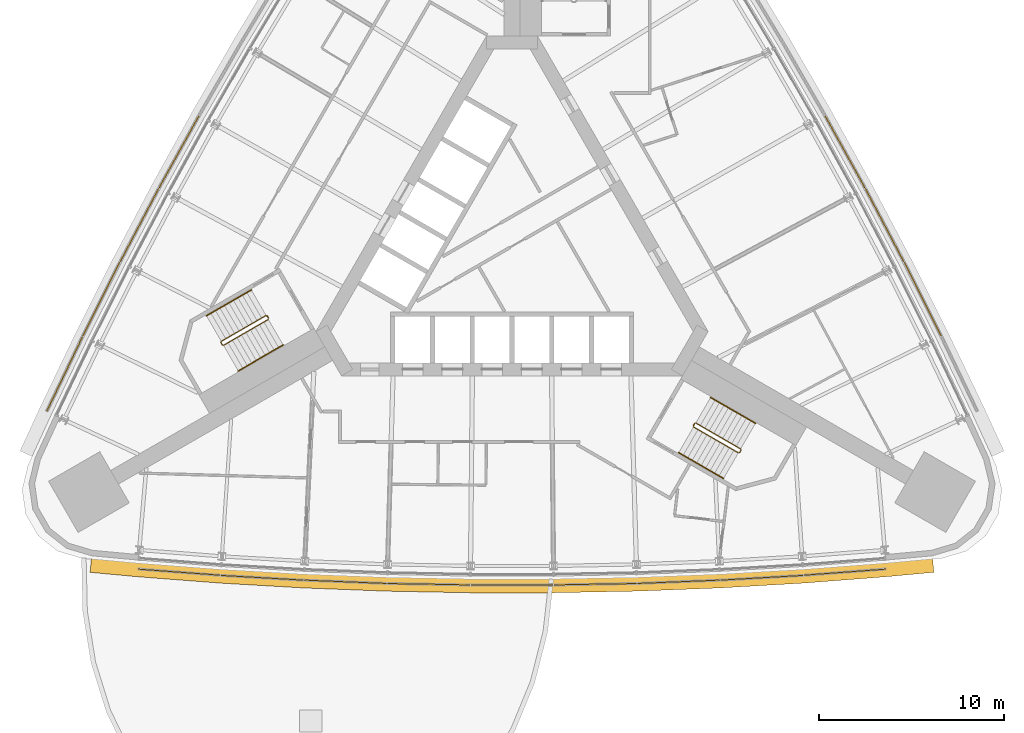
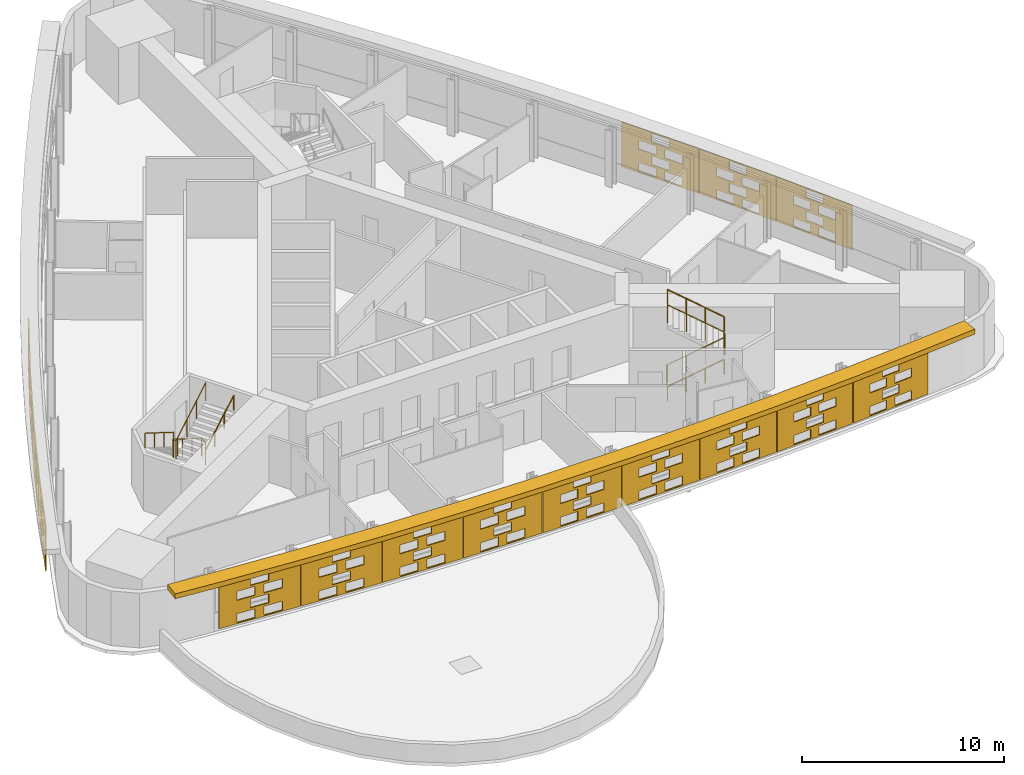
# One storey, part 14 of 15: 17 shading devices, 6 railings.
"""IFC4 building model written with IfcOpenShell, lengths in metres."""

import ifcopenshell
import ifcopenshell.guid

model = None  # the IFC model being written
_history = None  # IfcOwnerHistory: only IFC2X3 demands one
_inside = {}  # id of a spatial element -> (the spatial element, [elements in it])
_under = {}  # id of a project, library or spatial element -> (it, [spatial elements below it])
_declared = {}  # id of a project -> (the project, [libraries it declares])
_typed = {}  # id of a type object -> (the type object, [elements of that type])
_made_of = {}  # id of a material, layer set ... -> (it, [elements and type objects made of it])


def new_model(schema):
    """Start an empty IFC model of exactly this schema.

    Asked for "IFC4X3", IfcOpenShell would pick the latest addendum, in which some entities
    have other attributes; the version numbers below select the first issue.
    IFC2X3 requires an IfcOwnerHistory on every rooted entity: one is made here for all.
    """
    global model, _history
    if schema == "IFC4X3":
        model = ifcopenshell.file(schema_version=(4, 3, 0, 0))
    else:
        model = ifcopenshell.file(schema=schema)
    _inside.clear()
    _under.clear()
    _declared.clear()
    _typed.clear()
    _made_of.clear()
    _history = None
    if model.schema == "IFC2X3":
        org = make("IfcOrganization", Name="unknown")
        user = make(
            "IfcPersonAndOrganization",
            ThePerson=make("IfcPerson", FamilyName="unknown"),
            TheOrganization=org,
        )
        app = make(
            "IfcApplication",
            ApplicationDeveloper=org,
            Version="unknown",
            ApplicationFullName="unknown",
            ApplicationIdentifier="unknown",
        )
        _history = make(
            "IfcOwnerHistory",
            OwningUser=user,
            OwningApplication=app,
            ChangeAction="ADDED",
            CreationDate=0,
        )
    return model


def make(cls, **values):
    """One entity of the class cls with the attributes given. An attribute that is None is left unset."""
    return model.create_entity(
        cls, **{name: value for name, value in values.items() if value is not None}
    )


def rooted(cls, **values):
    """An entity with a GlobalId (a new one), such as an element, a storey or a relation."""
    return make(cls, GlobalId=ifcopenshell.guid.new(), OwnerHistory=_history, **values)


def si_unit(unit_type, name, prefix=None):
    """IfcSIUnit, for example si_unit("LENGTHUNIT", "METRE", prefix="MILLI")."""
    return make("IfcSIUnit", UnitType=unit_type, Prefix=prefix, Name=name)


def assignment(units):
    """IfcUnitAssignment: the units of a project."""
    return None if units is None else make("IfcUnitAssignment", Units=units)


def point(xyz):
    """IfcCartesianPoint."""
    return None if xyz is None else make("IfcCartesianPoint", Coordinates=xyz)


def direction(xyz):
    """IfcDirection."""
    return None if xyz is None else make("IfcDirection", DirectionRatios=xyz)


def frame(location, z_axis=None, x_axis=None):
    """IfcAxis2Placement3D, a coordinate frame: its origin and axes. An axis left out is left unset."""
    return make(
        "IfcAxis2Placement3D",
        Location=point(location),
        Axis=direction(z_axis),
        RefDirection=direction(x_axis),
    )


def frame_2d(location, x_axis=None):
    """IfcAxis2Placement2D, a coordinate frame in the plane: its origin and x axis."""
    return make(
        "IfcAxis2Placement2D", Location=point(location), RefDirection=direction(x_axis)
    )


def origin():
    """The frame at (0, 0, 0) with its axes left unset."""
    return frame((0.0, 0.0, 0.0))


def origin_2d():
    """The frame at (0, 0) in the plane with its x axis left unset."""
    return frame_2d((0.0, 0.0))


def place(relative_to, where):
    """IfcLocalPlacement: puts the frame where relative to a parent placement (None: the world)."""
    return make(
        "IfcLocalPlacement", PlacementRelTo=relative_to, RelativePlacement=where
    )


def context(
    kind, dimensions, precision=None, world=None, true_north=None, identifier=None
):
    """IfcGeometricRepresentationContext, for example the 3D "Model" context."""
    return make(
        "IfcGeometricRepresentationContext",
        ContextIdentifier=identifier,
        ContextType=kind,
        CoordinateSpaceDimension=dimensions,
        Precision=precision,
        WorldCoordinateSystem=world,
        TrueNorth=true_north,
    )


def subcontext(parent, identifier, kind, view, scale=None):
    """IfcGeometricRepresentationSubContext, for example "Body" below "Model"."""
    return make(
        "IfcGeometricRepresentationSubContext",
        ContextIdentifier=identifier,
        ContextType=kind,
        ParentContext=parent,
        TargetScale=scale,
        TargetView=view,
    )


def project(units=None, contexts=None):
    """IfcProject with its units and contexts."""
    return rooted(
        "IfcProject",
        Name="project",
        RepresentationContexts=contexts,
        UnitsInContext=assignment(units),
    )


def spatial(cls, under=None, at=None, **own):
    """A site, building, storey or space (cls), placed at a placement, below another one or the project."""
    s = rooted(cls, ObjectPlacement=at, **own)
    if under is not None:
        _under.setdefault(under.id(), (under, []))[1].append(s)
    return s


def polyline(points):
    """IfcPolyline through the points."""
    return make("IfcPolyline", Points=[point(p) for p in points])


def profile(cls, at=None, kind="AREA", **sizes):
    """A parametric profile (cls). Its sizes go by their IFC names, for example OverallWidth=200.0."""
    return make(cls, ProfileType=kind, Position=at, **sizes)


def circle(**sizes):
    """IfcCircleProfileDef."""
    return profile("IfcCircleProfileDef", **sizes)


def outline(outer, holes=None, kind="AREA"):
    """IfcArbitraryClosedProfileDef: a profile drawn as a closed curve; with holes, ...WithVoids."""
    if holes is None:
        return make("IfcArbitraryClosedProfileDef", ProfileType=kind, OuterCurve=outer)
    return make(
        "IfcArbitraryProfileDefWithVoids",
        ProfileType=kind,
        OuterCurve=outer,
        InnerCurves=holes,
    )


def extrude(swept, where, along, depth):
    """IfcExtrudedAreaSolid: the profile swept, set in the frame where, extruded along a direction by depth."""
    return make(
        "IfcExtrudedAreaSolid",
        SweptArea=swept,
        Position=where,
        ExtrudedDirection=direction(along),
        Depth=depth,
    )


def shape(context_of_items, identifier, shape_type, items):
    """IfcShapeRepresentation: the items that make up one representation, for example the "Body"."""
    return make(
        "IfcShapeRepresentation",
        ContextOfItems=context_of_items,
        RepresentationIdentifier=identifier,
        RepresentationType=shape_type,
        Items=items,
    )


def material(Name=None, Category=None):
    """IfcMaterial."""
    return make("IfcMaterial", Name=Name, Category=Category)


def material_profile(
    of_material, cross_section, Name=None, Category=None, Priority=None
):
    """IfcMaterialProfile: a cross section and its material."""
    return make(
        "IfcMaterialProfile",
        Name=Name,
        Material=of_material,
        Profile=cross_section,
        Priority=Priority,
        Category=Category,
    )


def profile_set(profiles, Name=None, composite=None):
    """IfcMaterialProfileSet."""
    return make(
        "IfcMaterialProfileSet",
        Name=Name,
        MaterialProfiles=profiles,
        CompositeProfile=composite,
    )


def made_of(thing, what):
    """Note that an element or type object is made of a material, layer set ...; save() writes the relation."""
    if what is not None:
        _made_of.setdefault(what.id(), (what, []))[1].append(thing)
    return thing


def type_object(cls, material=None, **own):
    """A type object (cls), such as IfcWallType, which elements share."""
    return made_of(rooted(cls, **own), material)


def element(
    cls,
    number,
    at=None,
    inside=None,
    cuts=None,
    type_object=None,
    material=None,
    context=None,
    identifier="Body",
    shape_type=None,
    held_by="IfcProductDefinitionShape",
    body=None,
    shapes=None,
    **own,
):
    """One element of the class cls, such as IfcWall. Its Tag is "e" and its number.

    at: its placement. inside: the storey or other place that contains it. cuts: it is an
    opening in that element (IfcRelVoidsElement). A single representation is given by context,
    identifier, shape_type and body (its items); several are given by shapes. held_by: the class
    of the entity that holds the representations. save() writes the other relations.
    """
    e = rooted(cls, Tag="e%d" % number, ObjectPlacement=at, **own)
    if body is not None:
        shapes = [shape(context, identifier, shape_type, body)]
    if shapes is not None:
        e.Representation = make(held_by, Representations=shapes)
    if inside is not None:
        _inside.setdefault(inside.id(), (inside, []))[1].append(e)
    if cuts is not None:
        rooted(
            "IfcRelVoidsElement", RelatingBuildingElement=cuts, RelatedOpeningElement=e
        )
    if type_object is not None:
        _typed.setdefault(type_object.id(), (type_object, []))[1].append(e)
    return made_of(e, material)


def aggregate(whole, parts):
    """IfcRelAggregates: a whole, such as a stair, and the parts it consists of."""
    return rooted("IfcRelAggregates", RelatingObject=whole, RelatedObjects=parts)


def save(model, path):
    """Write the relations noted so far, then the file.

    IfcRelAggregates (storeys below a building ...), IfcRelContainedInSpatialStructure (elements
    in a storey), IfcRelDefinesByType, IfcRelAssociatesMaterial and IfcRelDeclares: one each for
    every whole, place, type object, material and project.
    """
    for whole, parts in _under.values():
        aggregate(whole, parts)
    for where, things in _inside.values():
        rooted(
            "IfcRelContainedInSpatialStructure",
            RelatedElements=things,
            RelatingStructure=where,
        )
    for kind, things in _typed.values():
        rooted("IfcRelDefinesByType", RelatedObjects=things, RelatingType=kind)
    for what, things in _made_of.values():
        rooted("IfcRelAssociatesMaterial", RelatedObjects=things, RelatingMaterial=what)
    for by, libraries in _declared.values():
        rooted("IfcRelDeclares", RelatingContext=by, RelatedDefinitions=libraries)
    model.write(path)


model = new_model("IFC4")

# Units and contexts
model_context = context("Model", 3, precision=1e-05, world=origin(), true_north=direction((0.0, 1.0)))
body_context = subcontext(model_context, "Body", "Model", "MODEL_VIEW")
ifc_project = project(units=[si_unit("LENGTHUNIT", "METRE"), si_unit("AREAUNIT", "SQUARE_METRE"), si_unit("VOLUMEUNIT", "CUBIC_METRE"), si_unit("PLANEANGLEUNIT", "RADIAN"), si_unit("MASSUNIT", "GRAM", prefix="KILO")], contexts=[model_context])

# Site, building, storey
site_placement = place(None, origin())
site = spatial("IfcSite", under=ifc_project, at=site_placement, CompositionType="ELEMENT")
building_placement = place(site_placement, origin())
building = spatial("IfcBuilding", under=site, at=building_placement, Name="Noor Cloister Tower", CompositionType="ELEMENT")
storey_placement = place(building_placement, frame((0.0, 0.0, 69.0)))
storey = spatial("IfcBuildingStorey", under=building, at=storey_placement, Name="L17", CompositionType="ELEMENT", Elevation=69.0)

# Shading devices
ifc_material_1 = material(Name="Limestone", Category="masonry")
ifc_material_profile = material_profile(ifc_material_1, outline(polyline([(-2.22998046875, -1.35009765625), (2.22998046875, -1.35009765625), (2.22998046875, 1.35009765625), (-2.22998046875, 1.35009765625), (-2.22998046875, -1.35009765625)]), holes=[polyline([(-1.25, -1.282470703125), (-0.25, -1.282470703125), (-0.25, -0.742431640625), (-1.25, -0.742431640625), (-1.25, -1.282470703125)]), polyline([(0.25, -1.282470703125), (1.25, -1.282470703125), (1.25, -0.742431640625), (0.25, -0.742431640625), (0.25, -1.282470703125)]), polyline([(-0.5, -0.607421875), (0.5, -0.607421875), (0.5, -0.0673828125), (-0.5, -0.0673828125), (-0.5, -0.607421875)]), polyline([(-1.25, 0.0673828125), (-0.25, 0.0673828125), (-0.25, 0.607421875), (-1.25, 0.607421875), (-1.25, 0.0673828125)]), polyline([(0.25, 0.0673828125), (1.25, 0.0673828125), (1.25, 0.607421875), (0.25, 0.607421875), (0.25, 0.0673828125)]), polyline([(-0.5, 0.742431640625), (0.5, 0.742431640625), (0.5, 1.282470703125), (-0.5, 1.282470703125), (-0.5, 0.742431640625)])]), Name="Woven screen 28 percent open")
ifc_profile_set = profile_set([ifc_material_profile], Name="Limestone")
shading_device_type_1 = type_object("IfcShadingDeviceType", Name="SCREEN woven limestone 28 percent open", PredefinedType="USERDEFINED", material=ifc_profile_set)
shading_device_1_placement = place(storey_placement, frame((-17.993896484375, 5.18310546875, 1.85009765625), z_axis=(-0.874923997532, 0.484260259099, 0.0), x_axis=(-0.484260259099, -0.874923997532, 0.0)))
element("IfcShadingDevice", 1, at=shading_device_1_placement, inside=storey, type_object=shading_device_type_1, Name="SCREEN L17 6", ObjectType="SCREEN", PredefinedType="USERDEFINED", context=body_context, shape_type="SweptSolid", body=[
    extrude(outline(polyline([(-2.22998046875, -1.35009765625), (2.22998046875, -1.35009765625), (2.22998046875, 1.35009765625), (-2.22998046875, 1.35009765625), (-2.22998046875, -1.35009765625)]), holes=[polyline([(-1.25, -1.282470703125), (-0.25, -1.282470703125), (-0.25, -0.742431640625), (-1.25, -0.742431640625), (-1.25, -1.282470703125)]), polyline([(0.25, -1.282470703125), (1.25, -1.282470703125), (1.25, -0.742431640625), (0.25, -0.742431640625), (0.25, -1.282470703125)]), polyline([(-0.5, -0.607421875), (0.5, -0.607421875), (0.5, -0.0673828125), (-0.5, -0.0673828125), (-0.5, -0.607421875)]), polyline([(-1.25, 0.0673828125), (-0.25, 0.0673828125), (-0.25, 0.607421875), (-1.25, 0.607421875), (-1.25, 0.0673828125)]), polyline([(0.25, 0.0673828125), (1.25, 0.0673828125), (1.25, 0.607421875), (0.25, 0.607421875), (0.25, 0.0673828125)]), polyline([(-0.5, 0.742431640625), (0.5, 0.742431640625), (0.5, 1.282470703125), (-0.5, 1.282470703125), (-0.5, 0.742431640625)])]), origin(), (0.0, 0.0, 1.0), 0.06005859375),
])
shading_device_2_placement = place(storey_placement, frame((-20.13427734375, 1.21533203125, 1.85009765625), z_axis=(-0.885271944608, 0.465073740486, 0.0), x_axis=(-0.465073740486, -0.885271944608, 0.0)))
element("IfcShadingDevice", 2, at=shading_device_2_placement, inside=storey, type_object=shading_device_type_1, Name="SCREEN L17 7", ObjectType="SCREEN", PredefinedType="USERDEFINED", context=body_context, shape_type="SweptSolid", body=[
    extrude(outline(polyline([(-2.22998046875, -1.35009765625), (2.22998046875, -1.35009765625), (2.22998046875, 1.35009765625), (-2.22998046875, 1.35009765625), (-2.22998046875, -1.35009765625)]), holes=[polyline([(-1.25, -1.282470703125), (-0.25, -1.282470703125), (-0.25, -0.742431640625), (-1.25, -0.742431640625), (-1.25, -1.282470703125)]), polyline([(0.25, -1.282470703125), (1.25, -1.282470703125), (1.25, -0.742431640625), (0.25, -0.742431640625), (0.25, -1.282470703125)]), polyline([(-0.5, -0.607421875), (0.5, -0.607421875), (0.5, -0.0673828125), (-0.5, -0.0673828125), (-0.5, -0.607421875)]), polyline([(-1.25, 0.0673828125), (-0.25, 0.0673828125), (-0.25, 0.607421875), (-1.25, 0.607421875), (-1.25, 0.0673828125)]), polyline([(0.25, 0.0673828125), (1.25, 0.0673828125), (1.25, 0.607421875), (0.25, 0.607421875), (0.25, 0.0673828125)]), polyline([(-0.5, 0.742431640625), (0.5, 0.742431640625), (0.5, 1.282470703125), (-0.5, 1.282470703125), (-0.5, 0.742431640625)])]), origin(), (0.0, 0.0, 1.0), 0.059814453125),
])
shading_device_3_placement = place(storey_placement, frame((-22.197509765625, -2.793212890625, 1.85009765625), z_axis=(-0.894427191, 0.4472135955, 0.0), x_axis=(-0.4472135955, -0.894427191, 0.0)))
element("IfcShadingDevice", 3, at=shading_device_3_placement, inside=storey, type_object=shading_device_type_1, Name="SCREEN L17 8", ObjectType="SCREEN", PredefinedType="USERDEFINED", context=body_context, shape_type="SweptSolid", body=[
    extrude(outline(polyline([(-2.22998046875, -1.35009765625), (2.22998046875, -1.35009765625), (2.22998046875, 1.35009765625), (-2.22998046875, 1.35009765625), (-2.22998046875, -1.35009765625)]), holes=[polyline([(-1.25, -1.282470703125), (-0.25, -1.282470703125), (-0.25, -0.742431640625), (-1.25, -0.742431640625), (-1.25, -1.282470703125)]), polyline([(0.25, -1.282470703125), (1.25, -1.282470703125), (1.25, -0.742431640625), (0.25, -0.742431640625), (0.25, -1.282470703125)]), polyline([(-0.5, -0.607421875), (0.5, -0.607421875), (0.5, -0.0673828125), (-0.5, -0.0673828125), (-0.5, -0.607421875)]), polyline([(-1.25, 0.0673828125), (-0.25, 0.0673828125), (-0.25, 0.607421875), (-1.25, 0.607421875), (-1.25, 0.0673828125)]), polyline([(0.25, 0.0673828125), (1.25, 0.0673828125), (1.25, 0.607421875), (0.25, 0.607421875), (0.25, 0.0673828125)]), polyline([(-0.5, 0.742431640625), (0.5, 0.742431640625), (0.5, 1.282470703125), (-0.5, 1.282470703125), (-0.5, 0.742431640625)])]), origin(), (0.0, 0.0, 1.0), 0.06005859375),
])
shading_device_4_placement = place(storey_placement, frame((-24.183349609375, -6.8408203125, 1.85009765625), z_axis=(-0.901650348454, 0.432465777991, 0.0), x_axis=(-0.432465777991, -0.901650348454, 0.0)))
element("IfcShadingDevice", 4, at=shading_device_4_placement, inside=storey, type_object=shading_device_type_1, Name="SCREEN L17 9", ObjectType="SCREEN", PredefinedType="USERDEFINED", context=body_context, shape_type="SweptSolid", body=[
    extrude(outline(polyline([(-2.22998046875, -1.35009765625), (2.22998046875, -1.35009765625), (2.22998046875, 1.35009765625), (-2.22998046875, 1.35009765625), (-2.22998046875, -1.35009765625)]), holes=[polyline([(-1.25, -1.282470703125), (-0.25, -1.282470703125), (-0.25, -0.742431640625), (-1.25, -0.742431640625), (-1.25, -1.282470703125)]), polyline([(0.25, -1.282470703125), (1.25, -1.282470703125), (1.25, -0.742431640625), (0.25, -0.742431640625), (0.25, -1.282470703125)]), polyline([(-0.5, -0.607421875), (0.5, -0.607421875), (0.5, -0.0673828125), (-0.5, -0.0673828125), (-0.5, -0.607421875)]), polyline([(-1.25, 0.0673828125), (-0.25, 0.0673828125), (-0.25, 0.607421875), (-1.25, 0.607421875), (-1.25, 0.0673828125)]), polyline([(0.25, 0.0673828125), (1.25, 0.0673828125), (1.25, 0.607421875), (0.25, 0.607421875), (0.25, 0.0673828125)]), polyline([(-0.5, 0.742431640625), (0.5, 0.742431640625), (0.5, 1.282470703125), (-0.5, 1.282470703125), (-0.5, 0.742431640625)])]), origin(), (0.0, 0.0, 1.0), 0.059814453125),
])
shading_device_5_placement = place(storey_placement, frame((-18.01611328125, -17.52294921875, 1.85009765625), z_axis=(-0.073271902152, -0.99731200151, 0.0), x_axis=(0.99731200151, -0.073271902152, 0.0)))
element("IfcShadingDevice", 5, at=shading_device_5_placement, inside=storey, type_object=shading_device_type_1, Name="SCREEN L17 1", ObjectType="SCREEN", PredefinedType="USERDEFINED", context=body_context, shape_type="SweptSolid", body=[
    extrude(outline(polyline([(-2.22998046875, -1.35009765625), (2.22998046875, -1.35009765625), (2.22998046875, 1.35009765625), (-2.22998046875, 1.35009765625), (-2.22998046875, -1.35009765625)]), holes=[polyline([(-1.25, -1.282470703125), (-0.25, -1.282470703125), (-0.25, -0.742431640625), (-1.25, -0.742431640625), (-1.25, -1.282470703125)]), polyline([(0.25, -1.282470703125), (1.25, -1.282470703125), (1.25, -0.742431640625), (0.25, -0.742431640625), (0.25, -1.282470703125)]), polyline([(-0.5, -0.607421875), (0.5, -0.607421875), (0.5, -0.0673828125), (-0.5, -0.0673828125), (-0.5, -0.607421875)]), polyline([(-1.25, 0.0673828125), (-0.25, 0.0673828125), (-0.25, 0.607421875), (-1.25, 0.607421875), (-1.25, 0.0673828125)]), polyline([(0.25, 0.0673828125), (1.25, 0.0673828125), (1.25, 0.607421875), (0.25, 0.607421875), (0.25, 0.0673828125)]), polyline([(-0.5, 0.742431640625), (0.5, 0.742431640625), (0.5, 1.282470703125), (-0.5, 1.282470703125), (-0.5, 0.742431640625)])]), origin(), (0.0, 0.0, 1.0), 0.06005859375),
])
for number, where, z_axis, x_axis, name in (
    (6, (-13.517822265625, -17.8271484375, 1.85009765625), (-0.057049790539, -0.998371334424, 0.0), (0.998371334424, -0.057049790539, 0.0), "SCREEN L17 2"),
    (7, (-9.0146484375, -18.04443359375, 1.85009765625), (-0.040782369514, -0.999168053101, 0.0), (0.999168053101, -0.040782369514, 0.0), "SCREEN L17 3"),
):
    element("IfcShadingDevice", number, at=place(storey_placement, frame(where, z_axis=z_axis, x_axis=x_axis)), inside=storey, type_object=shading_device_type_1, Name=name, ObjectType="SCREEN", PredefinedType="USERDEFINED", context=body_context, shape_type="SweptSolid", body=[
        extrude(outline(polyline([(-2.22998046875, -1.35009765625), (2.22998046875, -1.35009765625), (2.22998046875, 1.35009765625), (-2.22998046875, 1.35009765625), (-2.22998046875, -1.35009765625)]), holes=[polyline([(-1.25, -1.282470703125), (-0.25, -1.282470703125), (-0.25, -0.742431640625), (-1.25, -0.742431640625), (-1.25, -1.282470703125)]), polyline([(0.25, -1.282470703125), (1.25, -1.282470703125), (1.25, -0.742431640625), (0.25, -0.742431640625), (0.25, -1.282470703125)]), polyline([(-0.5, -0.607421875), (0.5, -0.607421875), (0.5, -0.0673828125), (-0.5, -0.0673828125), (-0.5, -0.607421875)]), polyline([(-1.25, 0.0673828125), (-0.25, 0.0673828125), (-0.25, 0.607421875), (-1.25, 0.607421875), (-1.25, 0.0673828125)]), polyline([(0.25, 0.0673828125), (1.25, 0.0673828125), (1.25, 0.607421875), (0.25, 0.607421875), (0.25, 0.0673828125)]), polyline([(-0.5, 0.742431640625), (0.5, 0.742431640625), (0.5, 1.282470703125), (-0.5, 1.282470703125), (-0.5, 0.742431640625)])]), origin(), (0.0, 0.0, 1.0), 0.059814453125),
    ])
for number, where, z_axis, x_axis, name in (
    (8, (-4.50830078125, -18.1748046875, 1.85009765625), (-0.016258013492, -0.999867829764, 0.0), (0.999867829764, -0.016258013492, 0.0), "SCREEN L17 4"),
    (9, (0.0, -18.21826171875, 1.85009765625), (0.0, -1.0, 0.0), (1.0, 0.0, 0.0), "SCREEN L17 5"),
    (10, (4.50830078125, -18.1748046875, 1.85009765625), (0.016258013492, -0.999867829764, 0.0), (0.999867829764, 0.016258013492, 0.0), "SCREEN L17 6"),
):
    element("IfcShadingDevice", number, at=place(storey_placement, frame(where, z_axis=z_axis, x_axis=x_axis)), inside=storey, type_object=shading_device_type_1, Name=name, ObjectType="SCREEN", PredefinedType="USERDEFINED", context=body_context, shape_type="SweptSolid", body=[
        extrude(outline(polyline([(-2.22998046875, -1.35009765625), (2.22998046875, -1.35009765625), (2.22998046875, 1.35009765625), (-2.22998046875, 1.35009765625), (-2.22998046875, -1.35009765625)]), holes=[polyline([(-1.25, -1.282470703125), (-0.25, -1.282470703125), (-0.25, -0.742431640625), (-1.25, -0.742431640625), (-1.25, -1.282470703125)]), polyline([(0.25, -1.282470703125), (1.25, -1.282470703125), (1.25, -0.742431640625), (0.25, -0.742431640625), (0.25, -1.282470703125)]), polyline([(-0.5, -0.607421875), (0.5, -0.607421875), (0.5, -0.0673828125), (-0.5, -0.0673828125), (-0.5, -0.607421875)]), polyline([(-1.25, 0.0673828125), (-0.25, 0.0673828125), (-0.25, 0.607421875), (-1.25, 0.607421875), (-1.25, 0.0673828125)]), polyline([(0.25, 0.0673828125), (1.25, 0.0673828125), (1.25, 0.607421875), (0.25, 0.607421875), (0.25, 0.0673828125)]), polyline([(-0.5, 0.742431640625), (0.5, 0.742431640625), (0.5, 1.282470703125), (-0.5, 1.282470703125), (-0.5, 0.742431640625)])]), origin(), (0.0, 0.0, 1.0), 0.06005859375),
    ])
for number, where, z_axis, x_axis, name in (
    (11, (9.0146484375, -18.04443359375, 1.85009765625), (0.040782369514, -0.999168053101, 0.0), (0.999168053101, 0.040782369514, 0.0), "SCREEN L17 7"),
    (12, (13.517822265625, -17.8271484375, 1.85009765625), (0.057049790539, -0.998371334424, 0.0), (0.998371334424, 0.057049790539, 0.0), "SCREEN L17 8"),
):
    element("IfcShadingDevice", number, at=place(storey_placement, frame(where, z_axis=z_axis, x_axis=x_axis)), inside=storey, type_object=shading_device_type_1, Name=name, ObjectType="SCREEN", PredefinedType="USERDEFINED", context=body_context, shape_type="SweptSolid", body=[
        extrude(outline(polyline([(-2.22998046875, -1.35009765625), (2.22998046875, -1.35009765625), (2.22998046875, 1.35009765625), (-2.22998046875, 1.35009765625), (-2.22998046875, -1.35009765625)]), holes=[polyline([(-1.25, -1.282470703125), (-0.25, -1.282470703125), (-0.25, -0.742431640625), (-1.25, -0.742431640625), (-1.25, -1.282470703125)]), polyline([(0.25, -1.282470703125), (1.25, -1.282470703125), (1.25, -0.742431640625), (0.25, -0.742431640625), (0.25, -1.282470703125)]), polyline([(-0.5, -0.607421875), (0.5, -0.607421875), (0.5, -0.0673828125), (-0.5, -0.0673828125), (-0.5, -0.607421875)]), polyline([(-1.25, 0.0673828125), (-0.25, 0.0673828125), (-0.25, 0.607421875), (-1.25, 0.607421875), (-1.25, 0.0673828125)]), polyline([(0.25, 0.0673828125), (1.25, 0.0673828125), (1.25, 0.607421875), (0.25, 0.607421875), (0.25, 0.0673828125)]), polyline([(-0.5, 0.742431640625), (0.5, 0.742431640625), (0.5, 1.282470703125), (-0.5, 1.282470703125), (-0.5, 0.742431640625)])]), origin(), (0.0, 0.0, 1.0), 0.059814453125),
    ])
for number, where, z_axis, x_axis, name in (
    (13, (18.01611328125, -17.52294921875, 1.85009765625), (0.073271902152, -0.99731200151, 0.0), (0.99731200151, 0.073271902152, 0.0), "SCREEN L17 9"),
    (14, (22.197509765625, -2.793212890625, 1.85009765625), (0.894427191, 0.4472135955, 0.0), (-0.4472135955, 0.894427191, 0.0), "SCREEN L17 2"),
):
    element("IfcShadingDevice", number, at=place(storey_placement, frame(where, z_axis=z_axis, x_axis=x_axis)), inside=storey, type_object=shading_device_type_1, Name=name, ObjectType="SCREEN", PredefinedType="USERDEFINED", context=body_context, shape_type="SweptSolid", body=[
        extrude(outline(polyline([(-2.22998046875, -1.35009765625), (2.22998046875, -1.35009765625), (2.22998046875, 1.35009765625), (-2.22998046875, 1.35009765625), (-2.22998046875, -1.35009765625)]), holes=[polyline([(-1.25, -1.282470703125), (-0.25, -1.282470703125), (-0.25, -0.742431640625), (-1.25, -0.742431640625), (-1.25, -1.282470703125)]), polyline([(0.25, -1.282470703125), (1.25, -1.282470703125), (1.25, -0.742431640625), (0.25, -0.742431640625), (0.25, -1.282470703125)]), polyline([(-0.5, -0.607421875), (0.5, -0.607421875), (0.5, -0.0673828125), (-0.5, -0.0673828125), (-0.5, -0.607421875)]), polyline([(-1.25, 0.0673828125), (-0.25, 0.0673828125), (-0.25, 0.607421875), (-1.25, 0.607421875), (-1.25, 0.0673828125)]), polyline([(0.25, 0.0673828125), (1.25, 0.0673828125), (1.25, 0.607421875), (0.25, 0.607421875), (0.25, 0.0673828125)]), polyline([(-0.5, 0.742431640625), (0.5, 0.742431640625), (0.5, 1.282470703125), (-0.5, 1.282470703125), (-0.5, 0.742431640625)])]), origin(), (0.0, 0.0, 1.0), 0.06005859375),
    ])
shading_device_6_placement = place(storey_placement, frame((20.13427734375, 1.21533203125, 1.85009765625), z_axis=(0.885271944608, 0.465073740486, 0.0), x_axis=(-0.465073740486, 0.885271944608, 0.0)))
element("IfcShadingDevice", 15, at=shading_device_6_placement, inside=storey, type_object=shading_device_type_1, Name="SCREEN L17 3", ObjectType="SCREEN", PredefinedType="USERDEFINED", context=body_context, shape_type="SweptSolid", body=[
    extrude(outline(polyline([(-2.22998046875, -1.35009765625), (2.22998046875, -1.35009765625), (2.22998046875, 1.35009765625), (-2.22998046875, 1.35009765625), (-2.22998046875, -1.35009765625)]), holes=[polyline([(-1.25, -1.282470703125), (-0.25, -1.282470703125), (-0.25, -0.742431640625), (-1.25, -0.742431640625), (-1.25, -1.282470703125)]), polyline([(0.25, -1.282470703125), (1.25, -1.282470703125), (1.25, -0.742431640625), (0.25, -0.742431640625), (0.25, -1.282470703125)]), polyline([(-0.5, -0.607421875), (0.5, -0.607421875), (0.5, -0.0673828125), (-0.5, -0.0673828125), (-0.5, -0.607421875)]), polyline([(-1.25, 0.0673828125), (-0.25, 0.0673828125), (-0.25, 0.607421875), (-1.25, 0.607421875), (-1.25, 0.0673828125)]), polyline([(0.25, 0.0673828125), (1.25, 0.0673828125), (1.25, 0.607421875), (0.25, 0.607421875), (0.25, 0.0673828125)]), polyline([(-0.5, 0.742431640625), (0.5, 0.742431640625), (0.5, 1.282470703125), (-0.5, 1.282470703125), (-0.5, 0.742431640625)])]), origin(), (0.0, 0.0, 1.0), 0.059814453125),
])
shading_device_7_placement = place(storey_placement, frame((17.993896484375, 5.18310546875, 1.85009765625), z_axis=(0.874923997532, 0.484260259099, 0.0), x_axis=(-0.484260259099, 0.874923997532, 0.0)))
element("IfcShadingDevice", 16, at=shading_device_7_placement, inside=storey, type_object=shading_device_type_1, Name="SCREEN L17 4", ObjectType="SCREEN", PredefinedType="USERDEFINED", context=body_context, shape_type="SweptSolid", body=[
    extrude(outline(polyline([(-2.22998046875, -1.35009765625), (2.22998046875, -1.35009765625), (2.22998046875, 1.35009765625), (-2.22998046875, 1.35009765625), (-2.22998046875, -1.35009765625)]), holes=[polyline([(-1.25, -1.282470703125), (-0.25, -1.282470703125), (-0.25, -0.742431640625), (-1.25, -0.742431640625), (-1.25, -1.282470703125)]), polyline([(0.25, -1.282470703125), (1.25, -1.282470703125), (1.25, -0.742431640625), (0.25, -0.742431640625), (0.25, -1.282470703125)]), polyline([(-0.5, -0.607421875), (0.5, -0.607421875), (0.5, -0.0673828125), (-0.5, -0.0673828125), (-0.5, -0.607421875)]), polyline([(-1.25, 0.0673828125), (-0.25, 0.0673828125), (-0.25, 0.607421875), (-1.25, 0.607421875), (-1.25, 0.0673828125)]), polyline([(0.25, 0.0673828125), (1.25, 0.0673828125), (1.25, 0.607421875), (0.25, 0.607421875), (0.25, 0.0673828125)]), polyline([(-0.5, 0.742431640625), (0.5, 0.742431640625), (0.5, 1.282470703125), (-0.5, 1.282470703125), (-0.5, 0.742431640625)])]), origin(), (0.0, 0.0, 1.0), 0.06005859375),
])
ifc_material_2 = material(Name="Limestone", Category="masonry")
shading_device_type_2 = type_object("IfcShadingDeviceType", Name="SUNSHADE limestone band 900", PredefinedType="USERDEFINED", material=ifc_material_2)
shading_device_8_placement = place(storey_placement, frame((0.0, 0.0, 3.300048828125)))
element("IfcShadingDevice", 17, at=shading_device_8_placement, inside=storey, type_object=shading_device_type_2, Name="SUNSHADE L17 2", ObjectType="SUNSHADE", PredefinedType="USERDEFINED", context=body_context, shape_type="SweptSolid", body=[
    extrude(outline(polyline([(-22.833251953125, -17.563232421875), (-20.30078125, -17.797607421875), (-15.798828125, -18.145751953125), (-11.2890625, -18.406982421875), (-6.775146484375, -18.581298828125), (-2.258544921875, -18.668212890625), (2.258544921875, -18.668212890625), (6.775146484375, -18.581298828125), (11.2890625, -18.406982421875), (15.798828125, -18.145751953125), (20.30078125, -17.797607421875), (22.833251953125, -17.563232421875), (22.750244140625, -16.6669921875), (20.224609375, -16.900634765625), (15.738037109375, -17.24755859375), (11.24560546875, -17.508056640625), (6.7490234375, -17.681640625), (2.25, -17.768310546875), (-2.25, -17.768310546875), (-6.7490234375, -17.681640625), (-11.24560546875, -17.508056640625), (-15.738037109375, -17.24755859375), (-20.224609375, -16.900634765625), (-22.750244140625, -16.6669921875), (-22.833251953125, -17.563232421875)])), origin(), (0.0, 0.0, 1.0), 0.300048828125),
])

# Railings
ifc_material_3 = material(Name="Stainless steel", Category="steel")
railing_type_1 = type_object("IfcRailingType", Name="Stair guard 1100", PredefinedType="GUARDRAIL", material=ifc_material_3)
railing_1_placement = place(storey_placement, frame((-13.241455078125, -3.677734375, 0.0)))
element("IfcRailing", 18, at=railing_1_placement, inside=storey, type_object=railing_type_1, Name="Stair guard ST2 L17", PredefinedType="GUARDRAIL", context=body_context, shape_type="SweptSolid", body=[
    extrude(circle(Radius=0.02392578125, at=origin_2d()), frame((0.0, 0.0, 1.076171875), z_axis=(0.499112439033, -0.866537231285, 0.0), x_axis=(0.866537231285, 0.499112439033, 0.0)), (0.0, 0.0, 1.0), 0.150146484375),
    extrude(circle(Radius=0.02392578125, at=origin_2d()), frame((0.074951171875, -0.130126953125, 1.076171875), z_axis=(-0.544565797804, 0.563119998752, 0.621565731736), x_axis=(-0.718850276695, -0.695164929852, 0.0)), (0.0, 0.0, 1.0), 0.26318359375),
    extrude(circle(Radius=0.02392578125, at=origin_2d()), frame((-0.068359375, 0.01806640625, 1.23974609375), z_axis=(-0.747689811644, -0.431660630283, 0.504607813879), x_axis=(0.49998411664, -0.866034573852, 0.0)), (0.0, 0.0, 1.0), 3.2431640625),
    extrude(circle(Radius=0.02392578125, at=origin_2d()), frame((-2.4931640625, -1.3818359375, 2.8759765625), z_axis=(-0.258736085224, -0.965948051503, 0.0), x_axis=(0.965948051503, -0.258736085224, 0.0)), (0.0, 0.0, 1.0), 0.07080078125),
    extrude(circle(Radius=0.02392578125, at=origin_2d()), frame((-2.511474609375, -1.4501953125, 2.8759765625), z_axis=(0.499816412211, -0.866131372301, 0.0), x_axis=(0.866131372301, 0.499816412211, 0.0)), (0.0, 0.0, 1.0), 0.14990234375),
    extrude(circle(Radius=0.02392578125, at=origin_2d()), frame((-2.4365234375, -1.580078125, 2.8759765625), z_axis=(0.383552647116, -0.102737316192, 0.917786691313), x_axis=(0.258736085224, 0.965948051503, 0.0)), (0.0, 0.0, 1.0), 0.17822265625),
    extrude(circle(Radius=0.02392578125, at=origin_2d()), frame((-2.3681640625, -1.598388671875, 3.03955078125), z_axis=(0.747665513933, 0.431721881032, 0.504591415616), x_axis=(-0.500049511043, 0.865996816683, 0.0)), (0.0, 0.0, 1.0), 3.2431640625),
    extrude(circle(Radius=0.02099609375, at=origin_2d()), origin(), (0.0, 0.0, 1.0), 1.052001953125),
    extrude(circle(Radius=0.02099609375, at=origin_2d()), frame((0.074951171875, -0.130126953125, 0.0)), (0.0, 0.0, 1.0), 1.052001953125),
    extrude(circle(Radius=0.02099609375, at=origin_2d()), frame((-0.068359375, 0.01806640625, 0.16357421875)), (0.0, 0.0, 1.0), 1.052001953125),
    extrude(circle(Radius=0.02099609375, at=origin_2d()), frame((-0.876708984375, -0.448486328125, 0.708984375)), (0.0, 0.0, 1.0), 1.052001953125),
    extrude(circle(Radius=0.02099609375, at=origin_2d()), frame((-1.684814453125, -0.915283203125, 1.254638671875)), (0.0, 0.0, 1.0), 1.052001953125),
    extrude(circle(Radius=0.02099609375, at=origin_2d()), frame((-2.4931640625, -1.3818359375, 1.800048828125)), (0.0, 0.0, 1.0), 1.052001953125),
    extrude(circle(Radius=0.02099609375, at=origin_2d()), frame((-2.511474609375, -1.4501953125, 1.800048828125)), (0.0, 0.0, 1.0), 1.052001953125),
    extrude(circle(Radius=0.02099609375, at=origin_2d()), frame((-2.4365234375, -1.580078125, 1.800048828125)), (0.0, 0.0, 1.0), 1.052001953125),
    extrude(circle(Radius=0.02099609375, at=origin_2d()), frame((-2.3681640625, -1.598388671875, 1.963623046875)), (0.0, 0.0, 1.0), 1.052001953125),
    extrude(circle(Radius=0.02099609375, at=origin_2d()), frame((-1.559814453125, -1.131591796875, 2.509033203125)), (0.0, 0.0, 1.0), 1.052001953125),
    extrude(circle(Radius=0.02099609375, at=origin_2d()), frame((-0.751708984375, -0.6650390625, 3.0546875)), (0.0, 0.0, 1.0), 1.052001953125),
    extrude(circle(Radius=0.02099609375, at=origin_2d()), frame((0.056640625, -0.1982421875, 3.60009765625)), (0.0, 0.0, 1.0), 1.052001953125),
])
railing_2_placement = place(storey_placement, frame((9.805908203125, -9.628662109375, 0.0)))
element("IfcRailing", 19, at=railing_2_placement, inside=storey, type_object=railing_type_1, Name="Stair guard ST3 L17", PredefinedType="GUARDRAIL", context=body_context, shape_type="SweptSolid", body=[
    extrude(circle(Radius=0.02392578125, at=origin_2d()), frame((0.0, 0.0, 1.076171875), z_axis=(0.499112439033, 0.866537231285, 0.0), x_axis=(-0.866537231285, 0.499112439033, 0.0)), (0.0, 0.0, 1.0), 0.150146484375),
    extrude(circle(Radius=0.02392578125, at=origin_2d()), frame((0.074951171875, 0.130126953125, 1.076171875), z_axis=(-0.215214839654, -0.753251938789, 0.621525614518), x_axis=(0.961523947641, -0.274721127897, 0.0)), (0.0, 0.0, 1.0), 0.26318359375),
    extrude(circle(Radius=0.02392578125, at=origin_2d()), frame((0.018310546875, -0.068115234375, 1.23974609375), z_axis=(0.747665513933, -0.431721881032, 0.504591415616), x_axis=(0.500049511043, 0.865996816683, 0.0)), (0.0, 0.0, 1.0), 3.2431640625),
    extrude(circle(Radius=0.02392578125, at=origin_2d()), frame((2.443115234375, -1.46826171875, 2.8759765625), z_axis=(0.965948051503, 0.258736085224, 0.0), x_axis=(-0.258736085224, 0.965948051503, 0.0)), (0.0, 0.0, 1.0), 0.07080078125),
    extrude(circle(Radius=0.02392578125, at=origin_2d()), frame((2.511474609375, -1.449951171875, 2.8759765625), z_axis=(0.499816412211, 0.866131372301, 0.0), x_axis=(-0.866131372301, 0.499816412211, 0.0)), (0.0, 0.0, 1.0), 0.14990234375),
    extrude(circle(Radius=0.02392578125, at=origin_2d()), frame((2.58642578125, -1.320068359375, 2.8759765625), z_axis=(-0.102737316192, 0.383552647116, 0.917786691313), x_axis=(-0.965948051503, -0.258736085224, 0.0)), (0.0, 0.0, 1.0), 0.17822265625),
    extrude(circle(Radius=0.02392578125, at=origin_2d()), frame((2.568115234375, -1.251708984375, 3.03955078125), z_axis=(-0.747689811644, 0.431660630283, 0.504607813879), x_axis=(-0.49998411664, -0.866034573852, 0.0)), (0.0, 0.0, 1.0), 3.2431640625),
    extrude(circle(Radius=0.02099609375, at=origin_2d()), origin(), (0.0, 0.0, 1.0), 1.052001953125),
    extrude(circle(Radius=0.02099609375, at=origin_2d()), frame((0.074951171875, 0.130126953125, 0.0)), (0.0, 0.0, 1.0), 1.052001953125),
    extrude(circle(Radius=0.02099609375, at=origin_2d()), frame((0.018310546875, -0.068115234375, 0.16357421875)), (0.0, 0.0, 1.0), 1.052001953125),
    extrude(circle(Radius=0.02099609375, at=origin_2d()), frame((0.82666015625, -0.534912109375, 0.708984375)), (0.0, 0.0, 1.0), 1.052001953125),
    extrude(circle(Radius=0.02099609375, at=origin_2d()), frame((1.634765625, -1.00146484375, 1.254638671875)), (0.0, 0.0, 1.0), 1.052001953125),
    extrude(circle(Radius=0.02099609375, at=origin_2d()), frame((2.443115234375, -1.46826171875, 1.800048828125)), (0.0, 0.0, 1.0), 1.052001953125),
    extrude(circle(Radius=0.02099609375, at=origin_2d()), frame((2.511474609375, -1.449951171875, 1.800048828125)), (0.0, 0.0, 1.0), 1.052001953125),
    extrude(circle(Radius=0.02099609375, at=origin_2d()), frame((2.58642578125, -1.320068359375, 1.800048828125)), (0.0, 0.0, 1.0), 1.052001953125),
    extrude(circle(Radius=0.02099609375, at=origin_2d()), frame((2.568115234375, -1.251708984375, 1.963623046875)), (0.0, 0.0, 1.0), 1.052001953125),
    extrude(circle(Radius=0.02099609375, at=origin_2d()), frame((1.759765625, -0.78515625, 2.509033203125)), (0.0, 0.0, 1.0), 1.052001953125),
    extrude(circle(Radius=0.02099609375, at=origin_2d()), frame((0.95166015625, -0.318359375, 3.0546875)), (0.0, 0.0, 1.0), 1.052001953125),
    extrude(circle(Radius=0.02099609375, at=origin_2d()), frame((0.143310546875, 0.148193359375, 3.60009765625)), (0.0, 0.0, 1.0), 1.052001953125),
])
ifc_material_4 = material(Name="Stainless steel", Category="steel")
railing_type_2 = type_object("IfcRailingType", Name="Stair handrail 900", PredefinedType="HANDRAIL", material=ifc_material_4)
railing_3_placement = place(storey_placement, frame((-14.10986328125, -2.27392578125, 0.16357421875)))
element("IfcRailing", 20, at=railing_3_placement, inside=storey, type_object=railing_type_2, Name="Stair handrail ST2 L17 1", PredefinedType="HANDRAIL", context=body_context, shape_type="SweptSolid", body=[
    extrude(circle(Radius=0.02392578125, at=origin_2d()), frame((0.0, 0.0, 0.8759765625), z_axis=(-0.747689811644, -0.431660630283, 0.504607813879), x_axis=(0.49998411664, -0.866034573852, 0.0)), (0.0, 0.0, 1.0), 3.2431640625),
    extrude(circle(Radius=0.02099609375, at=origin_2d()), origin(), (0.0, 0.0, 1.0), 0.851806640625),
    extrude(circle(Radius=0.02099609375, at=origin_2d()), frame((-0.808349609375, -0.466552734375, 0.54541015625)), (0.0, 0.0, 1.0), 0.851806640625),
    extrude(circle(Radius=0.02099609375, at=origin_2d()), frame((-1.616455078125, -0.933349609375, 1.091064453125)), (0.0, 0.0, 1.0), 0.851806640625),
    extrude(circle(Radius=0.02099609375, at=origin_2d()), frame((-2.4248046875, -1.39990234375, 1.636474609375)), (0.0, 0.0, 1.0), 0.851806640625),
])
railing_4_placement = place(storey_placement, frame((-14.8095703125, -6.66162109375, 1.963623046875)))
element("IfcRailing", 21, at=railing_4_placement, inside=storey, type_object=railing_type_2, Name="Stair handrail ST2 L17 2", PredefinedType="HANDRAIL", context=body_context, shape_type="SweptSolid", body=[
    extrude(circle(Radius=0.02392578125, at=origin_2d()), frame((0.0, 0.0, 0.8759765625), z_axis=(0.747689811644, 0.431660630283, 0.504607813879), x_axis=(-0.49998411664, 0.866034573852, 0.0)), (0.0, 0.0, 1.0), 3.2431640625),
    extrude(circle(Radius=0.02099609375, at=origin_2d()), origin(), (0.0, 0.0, 1.0), 0.851806640625),
    extrude(circle(Radius=0.02099609375, at=origin_2d()), frame((0.808349609375, 0.466552734375, 0.54541015625)), (0.0, 0.0, 1.0), 0.851806640625),
    extrude(circle(Radius=0.02099609375, at=origin_2d()), frame((1.616455078125, 0.933349609375, 1.091064453125)), (0.0, 0.0, 1.0), 0.851806640625),
    extrude(circle(Radius=0.02099609375, at=origin_2d()), frame((2.4248046875, 1.39990234375, 1.636474609375)), (0.0, 0.0, 1.0), 0.851806640625),
])
railing_5_placement = place(storey_placement, frame((9.024169921875, -11.08251953125, 0.16357421875)))
element("IfcRailing", 22, at=railing_5_placement, inside=storey, type_object=railing_type_2, Name="Stair handrail ST3 L17 1", PredefinedType="HANDRAIL", context=body_context, shape_type="SweptSolid", body=[
    extrude(circle(Radius=0.02392578125, at=origin_2d()), frame((0.0, 0.0, 0.8759765625), z_axis=(0.747689811644, -0.431660630283, 0.504607813879), x_axis=(0.49998411664, 0.866034573852, 0.0)), (0.0, 0.0, 1.0), 3.2431640625),
    extrude(circle(Radius=0.02099609375, at=origin_2d()), origin(), (0.0, 0.0, 1.0), 0.851806640625),
    extrude(circle(Radius=0.02099609375, at=origin_2d()), frame((0.808349609375, -0.466552734375, 0.54541015625)), (0.0, 0.0, 1.0), 0.851806640625),
    extrude(circle(Radius=0.02099609375, at=origin_2d()), frame((1.616455078125, -0.933349609375, 1.091064453125)), (0.0, 0.0, 1.0), 0.851806640625),
    extrude(circle(Radius=0.02099609375, at=origin_2d()), frame((2.4248046875, -1.39990234375, 1.636474609375)), (0.0, 0.0, 1.0), 0.851806640625),
])
railing_6_placement = place(storey_placement, frame((13.174072265625, -9.49462890625, 1.963623046875)))
element("IfcRailing", 23, at=railing_6_placement, inside=storey, type_object=railing_type_2, Name="Stair handrail ST3 L17 2", PredefinedType="HANDRAIL", context=body_context, shape_type="SweptSolid", body=[
    extrude(circle(Radius=0.02392578125, at=origin_2d()), frame((0.0, 0.0, 0.8759765625), z_axis=(-0.747689811644, 0.431660630283, 0.504607813879), x_axis=(-0.49998411664, -0.866034573852, 0.0)), (0.0, 0.0, 1.0), 3.2431640625),
    extrude(circle(Radius=0.02099609375, at=origin_2d()), origin(), (0.0, 0.0, 1.0), 0.851806640625),
    extrude(circle(Radius=0.02099609375, at=origin_2d()), frame((-0.808349609375, 0.466552734375, 0.54541015625)), (0.0, 0.0, 1.0), 0.851806640625),
    extrude(circle(Radius=0.02099609375, at=origin_2d()), frame((-1.616455078125, 0.933349609375, 1.091064453125)), (0.0, 0.0, 1.0), 0.851806640625),
    extrude(circle(Radius=0.02099609375, at=origin_2d()), frame((-2.4248046875, 1.39990234375, 1.636474609375)), (0.0, 0.0, 1.0), 0.851806640625),
])

save(model, "model.ifc")
